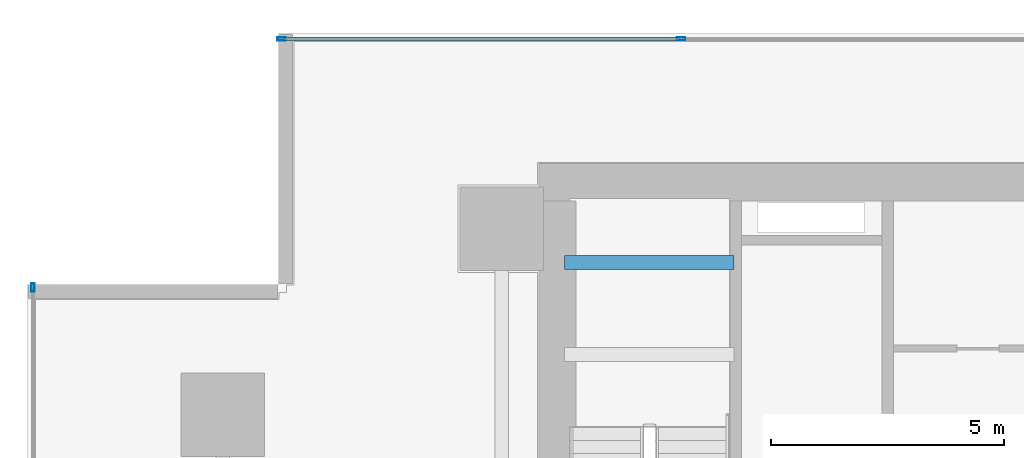
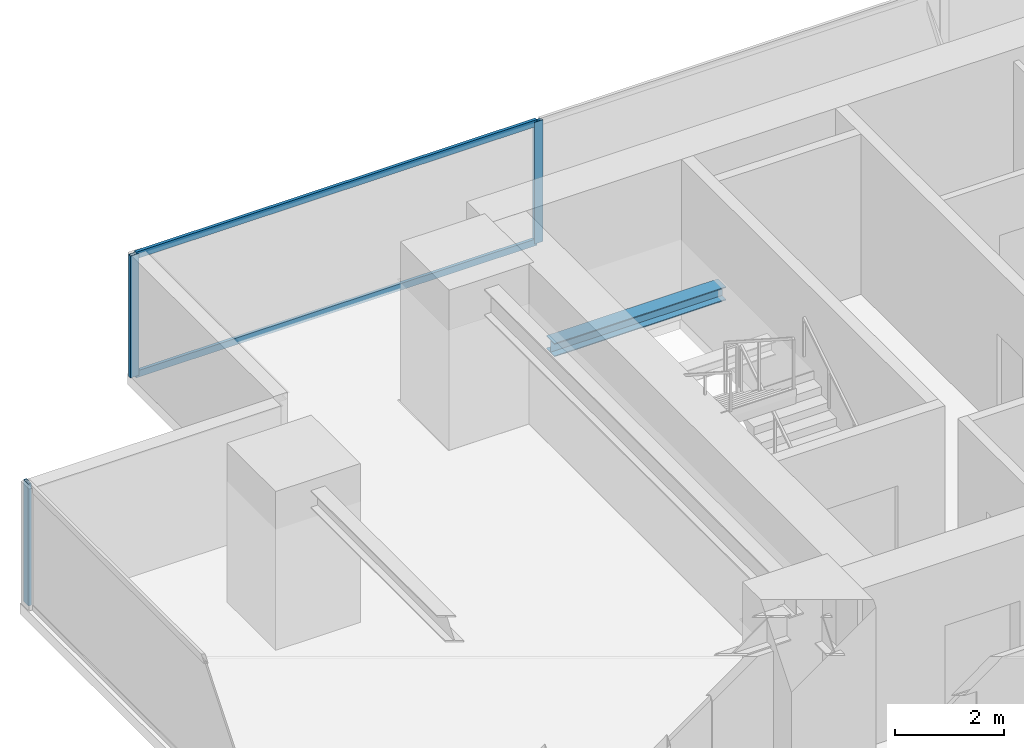
# One storey, part 18 of 33: 5 members, 1 beam, 2 elements without a shape of their own.
"""IFC4 building model written with IfcOpenShell, lengths in metres."""

from ifc_helpers import new_model, si_unit, direction, frame, origin, origin_2d, place, context, subcontext, project, spatial, hollow_rectangle, i_section, extrude, source, transform, mapped, material, layer, layer_set, material_profile, profile_set, type_object, element, aggregate, save


model = new_model("IFC4")

# Units and contexts
model_context = context("Model", 3, precision=1e-05, world=origin(), true_north=direction((0.0, 1.0)))
body_context = subcontext(model_context, "Body", "Model", "MODEL_VIEW")
ifc_project = project(units=[si_unit("LENGTHUNIT", "METRE"), si_unit("AREAUNIT", "SQUARE_METRE"), si_unit("VOLUMEUNIT", "CUBIC_METRE"), si_unit("PLANEANGLEUNIT", "RADIAN"), si_unit("MASSUNIT", "GRAM", prefix="KILO")], contexts=[model_context])

# Site, building, storey
site_placement = place(None, origin())
site = spatial("IfcSite", under=ifc_project, at=site_placement, CompositionType="ELEMENT")
building_placement = place(site_placement, origin())
building = spatial("IfcBuilding", under=site, at=building_placement, Name="Sumidabori Civic Tower", CompositionType="ELEMENT")
storey_placement = place(building_placement, frame((0.0, 0.0, 23.60009765625)))
storey = spatial("IfcBuildingStorey", under=building, at=storey_placement, Name="L05", CompositionType="ELEMENT", Elevation=23.60009765625)

# Beam
ifc_material_1 = material(Name="Steel SN490", Category="steel")
ifc_material_profile_1 = material_profile(ifc_material_1, i_section(OverallWidth=0.300048828125, OverallDepth=0.300048828125, WebThickness=0.010986328125, FlangeThickness=0.01904296875, at=origin_2d()), Name="HE 300 B")
ifc_profile_set_1 = profile_set([ifc_material_profile_1], Name="Steel SN490")
beam_type = type_object("IfcBeamType", Name="BM-LDG-300", PredefinedType="BEAM", material=ifc_profile_set_1)
shared_shape_1 = source(origin(), body_context, "Body", "SweptSolid", [
    extrude(i_section(OverallWidth=0.300048828125, OverallDepth=0.300048828125, WebThickness=0.010986328125, FlangeThickness=0.01904296875, at=origin_2d()), origin(), (0.0, 0.0, 1.0), 3.64990234375),
])
beam_placement = place(storey_placement, frame((-15.449951171875, 22.069580078125, 1.449951171875), z_axis=(1.0, 0.0, 0.0), x_axis=(0.0, 1.0, 0.0)))
element("IfcBeam", 1, at=beam_placement, inside=storey, type_object=beam_type, Name="Stair ST-1 Landing Trimmer Beam L05-1B", PredefinedType="BEAM", context=body_context, shape_type="MappedRepresentation", body=[
    mapped(shared_shape_1, transform((0.0, 0.0, 0.0), x_axis=(1.0, 0.0, 0.0), y_axis=(0.0, 1.0, 0.0), z_axis=(0.0, 0.0, 1.0), scale=1.0)),
])

# Curtain wall, members
ifc_material_2 = material(Name="Anodised Bronze Aluminium AW-6063-T6", Category="aluminium")
ifc_layer = layer(ifc_material_2, 0.179931640625, Name="Anodised Bronze Aluminium AW-6063-T6")
ifc_layer_set = layer_set([ifc_layer], Name="Anodised Bronze Aluminium AW-6063-T6")
curtain_wall_type = type_object("IfcCurtainWallType", Name="CW-SYS-2", PredefinedType="NOTDEFINED", material=ifc_layer_set)
curtain_wall_1_placement = place(storey_placement, origin())
curtain_wall_1 = element("IfcCurtainWall", 2, at=curtain_wall_1_placement, inside=storey, type_object=curtain_wall_type, Name="Curtain Wall CW:L05:R08", PredefinedType="NOTDEFINED")
ifc_material_profile_2 = material_profile(ifc_material_2, hollow_rectangle(XDim=0.070068359375, YDim=0.179931640625, WallThickness=0.006103515625, at=origin_2d()), Name="ALU MULLION 180x70")
ifc_profile_set_2 = profile_set([ifc_material_profile_2], Name="Anodised Bronze Aluminium AW-6063-T6")
member_type_1 = type_object("IfcMemberType", Name="CW-MUL-180", PredefinedType="MULLION", material=ifc_profile_set_2)
shared_shape_2 = source(origin(), body_context, "Body", "SweptSolid", [
    extrude(hollow_rectangle(XDim=0.070068359375, YDim=0.179931640625, WallThickness=0.006103515625, at=origin_2d()), origin(), (0.0, 0.0, 1.0), 2.739990234375),
])
member_1_placement = place(storey_placement, frame((-12.94189453125, 26.8798828125, 0.0), z_axis=(0.0, 0.0, 1.0), x_axis=(0.0, -1.0, 0.0)))
member_1 = element("IfcMember", 3, at=member_1_placement, type_object=member_type_1, Name="CW-2 mullion 5", PredefinedType="MULLION", context=body_context, shape_type="MappedRepresentation", body=[
    mapped(shared_shape_2, transform((0.0, 0.0, 0.0), x_axis=(1.0, 0.0, 0.0), y_axis=(0.0, 1.0, 0.0), z_axis=(0.0, 0.0, 1.0), scale=1.0)),
])
member_2_placement = place(storey_placement, frame((-21.534912109375, 26.8798828125, 0.0), z_axis=(0.0, 0.0, 1.0), x_axis=(0.0, -1.0, 0.0)))
member_2 = element("IfcMember", 4, at=member_2_placement, type_object=member_type_1, Name="CW-2 mullion 6", PredefinedType="MULLION", context=body_context, shape_type="MappedRepresentation", body=[
    mapped(shared_shape_2, transform((0.0, 0.0, 0.0), x_axis=(1.0, 0.0, 0.0), y_axis=(0.0, 1.0, 0.0), z_axis=(0.0, 0.0, 1.0), scale=1.0)),
])

# Curtain wall, member
curtain_wall_2_placement = place(storey_placement, origin())
curtain_wall_2 = element("IfcCurtainWall", 5, at=curtain_wall_2_placement, inside=storey, type_object=curtain_wall_type, Name="Curtain Wall CW:L05:R11", PredefinedType="NOTDEFINED")
member_3_placement = place(storey_placement, frame((-26.8798828125, 21.534912109375, 0.0), z_axis=(0.0, 0.0, 1.0), x_axis=(1.0, 0.0, 0.0)))
member_3 = element("IfcMember", 6, at=member_3_placement, type_object=member_type_1, Name="CW-2 mullion 1", PredefinedType="MULLION", context=body_context, shape_type="MappedRepresentation", body=[
    mapped(shared_shape_2, transform((0.0, 0.0, 0.0), x_axis=(1.0, 0.0, 0.0), y_axis=(0.0, 1.0, 0.0), z_axis=(0.0, 0.0, 1.0), scale=1.0)),
])
aggregate(curtain_wall_2, [member_3])

# Member
ifc_material_profile_3 = material_profile(ifc_material_2, hollow_rectangle(XDim=0.06494140625, YDim=0.14990234375, WallThickness=0.0048828125, at=origin_2d()), Name="ALU TRANSOM 150x65")
ifc_profile_set_3 = profile_set([ifc_material_profile_3], Name="Anodised Bronze Aluminium AW-6063-T6")
member_type_2 = type_object("IfcMemberType", Name="CW-TRN-150", PredefinedType="USERDEFINED", material=ifc_profile_set_3)
shared_shape_3 = source(origin(), body_context, "Body", "SweptSolid", [
    extrude(hollow_rectangle(XDim=0.06494140625, YDim=0.14990234375, WallThickness=0.0048828125, at=origin_2d()), origin(), (0.0, 0.0, 1.0), 8.52294921875),
])
member_4_placement = place(storey_placement, frame((-12.97705078125, 26.8798828125, 0.032470703125), z_axis=(-1.0, 0.0, 0.0), x_axis=(0.0, -1.0, 0.0)))
member_4 = element("IfcMember", 7, at=member_4_placement, type_object=member_type_2, Name="CW-2 transom 5.1", ObjectType="TRANSOM", PredefinedType="USERDEFINED", context=body_context, shape_type="MappedRepresentation", body=[
    mapped(shared_shape_3, transform((0.0, 0.0, 0.0), x_axis=(1.0, 0.0, 0.0), y_axis=(0.0, 1.0, 0.0), z_axis=(0.0, 0.0, 1.0), scale=1.0)),
])

member_5_placement = place(storey_placement, frame((-12.97705078125, 26.8798828125, 2.70751953125), z_axis=(-1.0, 0.0, 0.0), x_axis=(0.0, -1.0, 0.0)))
member_5 = element("IfcMember", 8, at=member_5_placement, type_object=member_type_2, Name="CW-2 transom 5.2", ObjectType="TRANSOM", PredefinedType="USERDEFINED", context=body_context, shape_type="MappedRepresentation", body=[
    mapped(shared_shape_3, transform((0.0, 0.0, 0.0), x_axis=(1.0, 0.0, 0.0), y_axis=(0.0, 1.0, 0.0), z_axis=(0.0, 0.0, 1.0), scale=1.0)),
])

aggregate(curtain_wall_1, [member_1, member_2, member_4, member_5])

save(model, "model.ifc")
